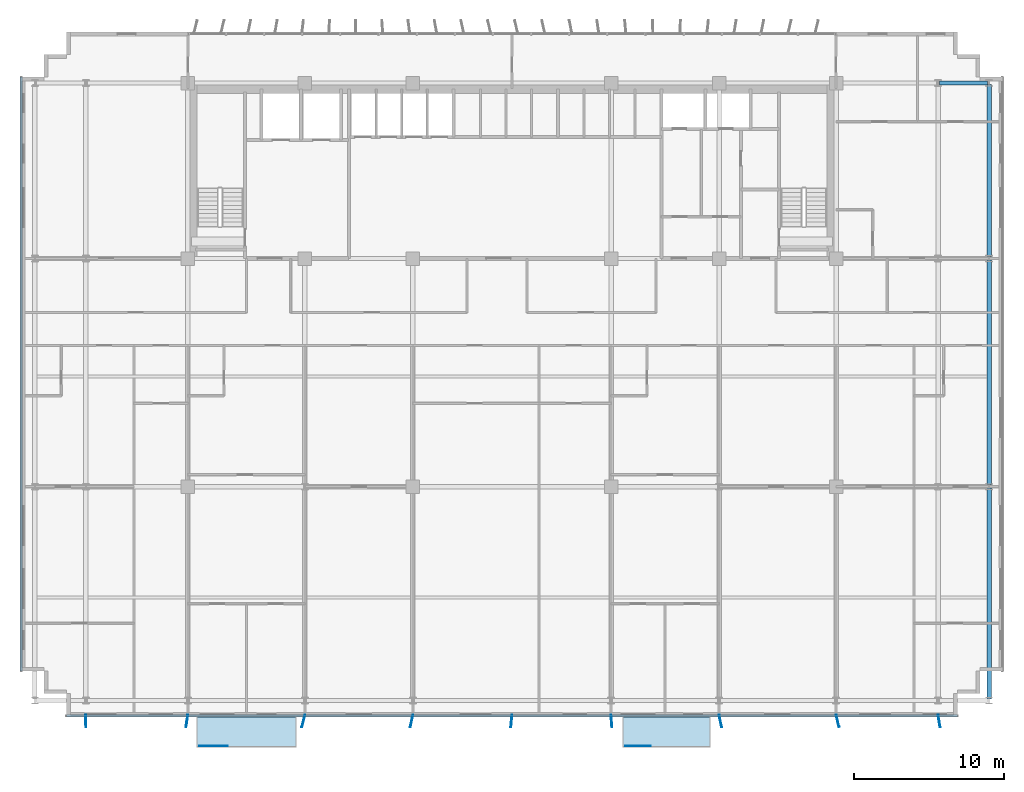
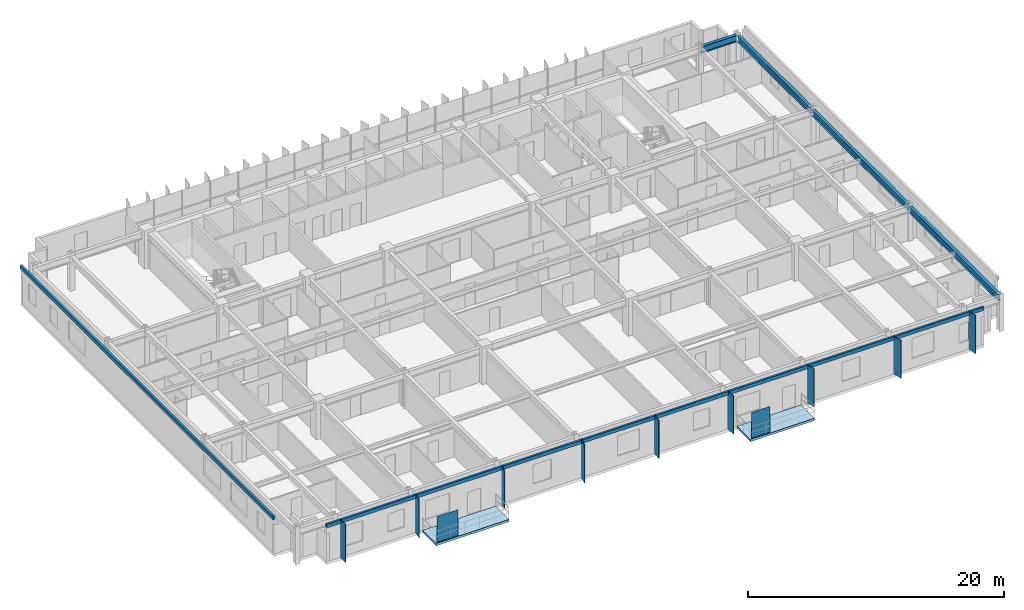
# One storey, part 13 of 22: 13 plates, 4 beams, 2 slabs.
"""IFC4 building model written with IfcOpenShell, lengths in metres."""

from ifc_helpers import new_model, si_unit, direction, frame, origin, origin_2d, place, context, subcontext, project, spatial, polyline, rectangle, i_section, outline, extrude, source, transform, mapped, material, layer, layer_set, material_profile, profile_set, type_object, element, save


model = new_model("IFC4")

# Units and contexts
model_context = context("Model", 3, precision=1e-05, world=origin(), true_north=direction((0.0, 1.0)))
body_context = subcontext(model_context, "Body", "Model", "MODEL_VIEW")
ifc_project = project(units=[si_unit("LENGTHUNIT", "METRE"), si_unit("AREAUNIT", "SQUARE_METRE"), si_unit("VOLUMEUNIT", "CUBIC_METRE"), si_unit("PLANEANGLEUNIT", "RADIAN"), si_unit("MASSUNIT", "GRAM", prefix="KILO")], contexts=[model_context])

# Site, building, storey
site_placement = place(None, origin())
site = spatial("IfcSite", under=ifc_project, at=site_placement, CompositionType="ELEMENT")
building_placement = place(site_placement, origin())
building = spatial("IfcBuilding", under=site, at=building_placement, Name="Trelvane Seafront Commons", CompositionType="ELEMENT")
storey_placement = place(building_placement, frame((0.0, 0.0, 48.699951171875)))
storey = spatial("IfcBuildingStorey", under=building, at=storey_placement, Name="L12", CompositionType="ELEMENT", Elevation=48.699951171875)

# Beams
ifc_material_1 = material(Name="Steel SM355 (S355)", Category="steel")
ifc_material_profile_1 = material_profile(ifc_material_1, i_section(OverallWidth=0.280029296875, OverallDepth=0.64990234375, WebThickness=0.012939453125, FlangeThickness=0.02197265625, at=origin_2d()), Name="H-650x280x13x22")
ifc_profile_set_1 = profile_set([ifc_material_profile_1], Name="Steel SM355 (S355)")
beam_type_1 = type_object("IfcBeamType", Name="STR-BM-H650", PredefinedType="BEAM", material=ifc_profile_set_1)
shared_shape_1 = source(origin(), body_context, "Body", "SweptSolid", [
    extrude(i_section(OverallWidth=0.280029296875, OverallDepth=0.64990234375, WebThickness=0.012939453125, FlangeThickness=0.02197265625, at=origin_2d()), origin(), (0.0, 0.0, 1.0), 3.18994140625),
])
beam_1_placement = place(storey_placement, frame((65.705078125, 45.10009765625, 3.01513671875), z_axis=(1.0, 0.0, 0.0), x_axis=(0.0, 1.0, 0.0)))
element("IfcBeam", 1, at=beam_1_placement, inside=storey, type_object=beam_type_1, Name="L12 Primary Girder G-36", PredefinedType="BEAM", context=body_context, shape_type="MappedRepresentation", body=[
    mapped(shared_shape_1, transform((0.0, 0.0, 0.0), x_axis=(1.0, 0.0, 0.0), y_axis=(0.0, 1.0, 0.0), z_axis=(0.0, 0.0, 1.0), scale=1.0)),
])
ifc_material_profile_2 = material_profile(ifc_material_1, i_section(OverallWidth=0.300048828125, OverallDepth=0.587890625, WebThickness=0.011962890625, FlangeThickness=0.02001953125, at=origin_2d()), Name="H-588x300x12x20")
ifc_profile_set_2 = profile_set([ifc_material_profile_2], Name="Steel SM355 (S355)")
beam_type_2 = type_object("IfcBeamType", Name="STR-BM-H588", PredefinedType="BEAM", material=ifc_profile_set_2)
shared_shape_2 = source(origin(), body_context, "Body", "SweptSolid", [
    extrude(i_section(OverallWidth=0.300048828125, OverallDepth=0.587890625, WebThickness=0.011962890625, FlangeThickness=0.02001953125, at=origin_2d()), origin(), (0.0, 0.0, 1.0), 14.0400390625),
])
beam_2_placement = place(storey_placement, frame((69.0, 4.054931640625, 3.046142578125), z_axis=(0.0, 1.0, 0.0), x_axis=(-1.0, 0.0, 0.0)))
element("IfcBeam", 2, at=beam_2_placement, inside=storey, type_object=beam_type_2, Name="L12 Primary Girder G-64", PredefinedType="BEAM", context=body_context, shape_type="MappedRepresentation", body=[
    mapped(shared_shape_2, transform((0.0, 0.0, 0.0), x_axis=(1.0, 0.0, 0.0), y_axis=(0.0, 1.0, 0.0), z_axis=(0.0, 0.0, 1.0), scale=1.0)),
])
shared_shape_3 = source(origin(), body_context, "Body", "SweptSolid", [
    extrude(i_section(OverallWidth=0.300048828125, OverallDepth=0.587890625, WebThickness=0.011962890625, FlangeThickness=0.02001953125, at=origin_2d()), origin(), (0.0, 0.0, 1.0), 14.989990234375),
])
beam_3_placement = place(storey_placement, frame((69.0, 18.304931640625, 3.046142578125), z_axis=(0.0, 1.0, 0.0), x_axis=(-1.0, 0.0, 0.0)))
element("IfcBeam", 3, at=beam_3_placement, inside=storey, type_object=beam_type_2, Name="L12 Primary Girder G-65", PredefinedType="BEAM", context=body_context, shape_type="MappedRepresentation", body=[
    mapped(shared_shape_3, transform((0.0, 0.0, 0.0), x_axis=(1.0, 0.0, 0.0), y_axis=(0.0, 1.0, 0.0), z_axis=(0.0, 0.0, 1.0), scale=1.0)),
])
shared_shape_4 = source(origin(), body_context, "Body", "SweptSolid", [
    extrude(i_section(OverallWidth=0.300048828125, OverallDepth=0.587890625, WebThickness=0.011962890625, FlangeThickness=0.02001953125, at=origin_2d()), origin(), (0.0, 0.0, 1.0), 11.490234375),
])
beam_4_placement = place(storey_placement, frame((69.0, 33.5048828125, 3.046142578125), z_axis=(0.0, 1.0, 0.0), x_axis=(-1.0, 0.0, 0.0)))
element("IfcBeam", 4, at=beam_4_placement, inside=storey, type_object=beam_type_2, Name="L12 Primary Girder G-66", PredefinedType="BEAM", context=body_context, shape_type="MappedRepresentation", body=[
    mapped(shared_shape_4, transform((0.0, 0.0, 0.0), x_axis=(1.0, 0.0, 0.0), y_axis=(0.0, 1.0, 0.0), z_axis=(0.0, 0.0, 1.0), scale=1.0)),
])

# Slabs
ifc_material_2 = material(Name="Concrete C40/50", Category="concrete")
ifc_layer_1 = layer(ifc_material_2, 0.219970703125, Name="ARCH-BALC-220")
ifc_layer_set_1 = layer_set([ifc_layer_1], Name="Concrete C40/50")
slab_type = type_object("IfcSlabType", Name="ARCH-BALC-220", PredefinedType="FLOOR", material=ifc_layer_set_1)
slab_1_placement = place(storey_placement, frame((0.0, 0.0, -0.219970703125)))
element("IfcSlab", 5, at=slab_1_placement, inside=storey, type_object=slab_type, Name="L12 Cantilevered Tree Balcony Loggia 1", PredefinedType="FLOOR", context=body_context, shape_type="SweptSolid", body=[
    extrude(outline(polyline([(16.199951171875, 0.800048828125), (22.800048828125, 0.800048828125), (22.800048828125, 2.89990234375), (16.199951171875, 2.89990234375), (16.199951171875, 0.800048828125)])), origin(), (0.0, 0.0, 1.0), 0.219970703125),
])
slab_2_placement = place(storey_placement, frame((0.0, 0.0, -0.219970703125)))
element("IfcSlab", 6, at=slab_2_placement, inside=storey, type_object=slab_type, Name="L12 Cantilevered Tree Balcony Loggia 2", PredefinedType="FLOOR", context=body_context, shape_type="SweptSolid", body=[
    extrude(outline(polyline([(44.60009765625, 0.800048828125), (50.39990234375, 0.800048828125), (50.39990234375, 2.89990234375), (44.60009765625, 2.89990234375), (44.60009765625, 0.800048828125)])), origin(), (0.0, 0.0, 1.0), 0.219970703125),
])

# Plates
ifc_material_3 = material(Name="Perforated anodised aluminium screen", Category="aluminium")
ifc_layer_2 = layer(ifc_material_3, 0.01611328125, Name="ARCH-PLATE-SCREEN")
ifc_layer_set_2 = layer_set([ifc_layer_2], Name="Perforated anodised aluminium screen")
plate_type_1 = type_object("IfcPlateType", Name="ARCH-PLATE-SCREEN", PredefinedType="USERDEFINED", material=ifc_layer_set_2)
shared_shape_5 = source(origin(), body_context, "Body", "SweptSolid", [
    extrude(rectangle(XDim=1.9140625, YDim=0.01611328125, at=origin_2d()), origin(), (0.0, 0.0, 1.0), 2.449951171875),
])
plate_1_placement = place(storey_placement, frame((17.306884765625, 0.919921875, 0.0), z_axis=(0.0, 0.0, 1.0), x_axis=(1.0, 0.0, 0.0)))
element("IfcPlate", 7, at=plate_1_placement, inside=storey, type_object=plate_type_1, Name="SCR-L12-00044", ObjectType="SCREEN", PredefinedType="USERDEFINED", context=body_context, shape_type="MappedRepresentation", body=[
    mapped(shared_shape_5, transform((0.0, 0.0, 0.0), x_axis=(1.0, 0.0, 0.0), y_axis=(0.0, 1.0, 0.0), z_axis=(0.0, 0.0, 1.0), scale=1.0)),
])
shared_shape_6 = source(origin(), body_context, "Body", "SweptSolid", [
    extrude(rectangle(XDim=1.681884765625, YDim=0.01611328125, at=origin_2d()), origin(), (0.0, 0.0, 1.0), 2.449951171875),
])
plate_2_placement = place(storey_placement, frame((45.591064453125, 0.919921875, 0.0), z_axis=(0.0, 0.0, 1.0), x_axis=(1.0, 0.0, 0.0)))
element("IfcPlate", 8, at=plate_2_placement, inside=storey, type_object=plate_type_1, Name="SCR-L12-00045", ObjectType="SCREEN", PredefinedType="USERDEFINED", context=body_context, shape_type="MappedRepresentation", body=[
    mapped(shared_shape_6, transform((0.0, 0.0, 0.0), x_axis=(1.0, 0.0, 0.0), y_axis=(0.0, 1.0, 0.0), z_axis=(0.0, 0.0, 1.0), scale=1.0)),
])
ifc_material_4 = material(Name="Anodised pale-silver aluminium", Category="aluminium")
ifc_layer_3 = layer(ifc_material_4, 0.06005859375, Name="ARCH-PLATE-FIN900")
ifc_layer_set_3 = layer_set([ifc_layer_3], Name="Anodised pale-silver aluminium")
plate_type_2 = type_object("IfcPlateType", Name="ARCH-PLATE-FIN900", PredefinedType="USERDEFINED", material=ifc_layer_set_3)
shared_shape_7 = source(origin(), body_context, "Body", "SweptSolid", [
    extrude(rectangle(XDim=0.85009765625, YDim=0.06005859375, at=origin_2d()), origin(), (0.0, 0.0, 1.0), 3.639892578125),
])
for number, where, z_axis, x_axis, name in (
    (9, (8.80322265625, 2.574951171875, -0.02001953125), (0.0, 0.0, 1.0), (0.007529279252, -0.999971654575, 0.0), "FIN-S-L12-00253"),
    (10, (15.535888671875, 2.579833984375, -0.02001953125), (0.0, 0.0, 1.0), (-0.151048611346, -0.988526336023, 0.0), "FIN-S-L12-00254"),
    (11, (23.29931640625, 2.587158203125, -0.02001953125), (0.0, 0.0, 1.0), (-0.237162006462, -0.971470114152, 0.0), "FIN-S-L12-00255"),
    (12, (30.509521484375, 2.584716796875, -0.02001953125), (0.0, 0.0, 1.0), (-0.212941711554, -0.977064904436, 0.0), "FIN-S-L12-00256"),
    (13, (37.162353515625, 2.57666015625, -0.02001953125), (0.0, 0.0, 1.0), (-0.088828236726, -0.996046958913, 0.0), "FIN-S-L12-00257"),
    (14, (43.83349609375, 2.576416015625, -0.02001953125), (0.0, 0.0, 1.0), (0.078586111367, -0.996907329244, 0.0), "FIN-S-L12-00258"),
    (15, (51.08837890625, 2.584228515625, -0.02001953125), (0.0, 0.0, 1.0), (0.207640239666, -0.978205260092, 0.0), "FIN-S-L12-00259"),
    (16, (58.901611328125, 2.58740234375, -0.02001953125), (0.0, 0.0, 1.0), (0.239046993767, -0.971007999334, 0.0), "FIN-S-L12-00260"),
    (17, (65.667724609375, 2.580322265625, -0.02001953125), (0.0, 0.0, 1.0), (0.159302273293, -0.987229854555, 0.0), "FIN-S-L12-00261"),
):
    element("IfcPlate", number, at=place(storey_placement, frame(where, z_axis=z_axis, x_axis=x_axis)), inside=storey, type_object=plate_type_2, Name=name, ObjectType="FIN", PredefinedType="USERDEFINED", context=body_context, shape_type="MappedRepresentation", body=[
        mapped(shared_shape_7, transform((0.0, 0.0, 0.0), x_axis=(1.0, 0.0, 0.0), y_axis=(0.0, 1.0, 0.0), z_axis=(0.0, 0.0, 1.0), scale=1.0)),
    ])
ifc_layer_4 = layer(ifc_material_4, 0.179931640625, Name="ARCH-PLATE-AERO")
ifc_layer_set_4 = layer_set([ifc_layer_4], Name="Anodised pale-silver aluminium")
plate_type_3 = type_object("IfcPlateType", Name="ARCH-PLATE-AERO", PredefinedType="SHEET", material=ifc_layer_set_4)
shared_shape_8 = source(origin(), body_context, "Body", "SweptSolid", [
    extrude(rectangle(XDim=39.60009765625, YDim=0.179931640625, at=origin_2d()), origin(), (0.0, 0.0, 1.0), 0.340087890625),
])
plate_3_placement = place(storey_placement, frame((4.5, 25.699951171875, 3.27978515625), z_axis=(0.0, 0.0, 1.0), x_axis=(0.0, 1.0, 0.0)))
element("IfcPlate", 18, at=plate_3_placement, inside=storey, type_object=plate_type_3, Name="AER-L12-00042", PredefinedType="SHEET", context=body_context, shape_type="MappedRepresentation", body=[
    mapped(shared_shape_8, transform((0.0, 0.0, 0.0), x_axis=(1.0, 0.0, 0.0), y_axis=(0.0, 1.0, 0.0), z_axis=(0.0, 0.0, 1.0), scale=1.0)),
])
shared_shape_9 = source(origin(), body_context, "Body", "SweptSolid", [
    extrude(rectangle(XDim=59.39990234375, YDim=0.179931640625, at=origin_2d()), origin(), (0.0, 0.0, 1.0), 0.340087890625),
])
plate_4_placement = place(storey_placement, frame((37.199951171875, 2.93994140625, 3.27978515625), z_axis=(0.0, 0.0, 1.0), x_axis=(-1.0, 0.0, 0.0)))
element("IfcPlate", 19, at=plate_4_placement, inside=storey, type_object=plate_type_3, Name="AER-S-L12-00046", PredefinedType="SHEET", context=body_context, shape_type="MappedRepresentation", body=[
    mapped(shared_shape_9, transform((0.0, 0.0, 0.0), x_axis=(1.0, 0.0, 0.0), y_axis=(0.0, 1.0, 0.0), z_axis=(0.0, 0.0, 1.0), scale=1.0)),
])

save(model, "model.ifc")
